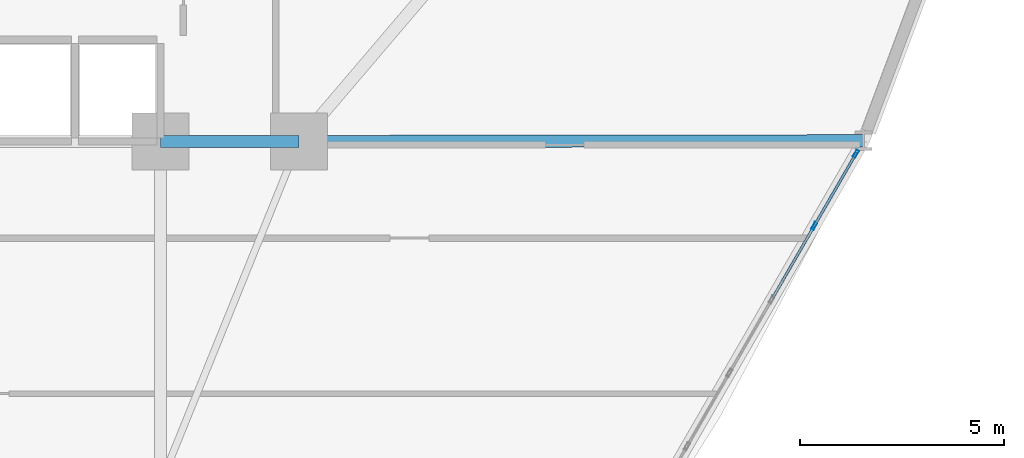
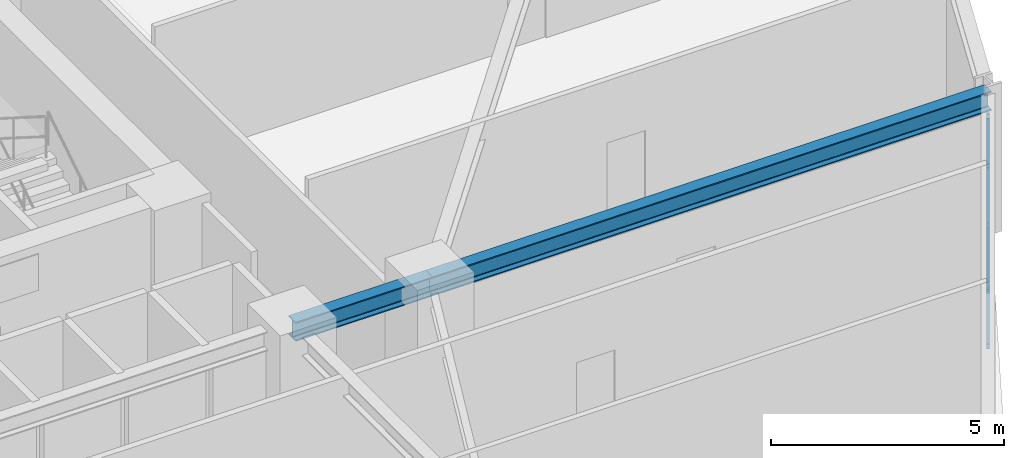
# One storey, part 8 of 21: 7 members, 2 beams, 1 element without a shape of its own.
"""IFC4 building model written with IfcOpenShell, lengths in metres."""

from ifc_helpers import new_model, si_unit, derived_unit, direction, frame, origin, origin_2d, place, context, subcontext, project, spatial, hollow_rectangle, i_section, extrude, source, transform, mapped, material, layer, layer_set, material_profile, profile_set, type_object, element, aggregate, save


model = new_model("IFC4")

# Units and contexts
model_context = context("Model", 3, precision=1e-05, world=origin(), true_north=direction((0.0, 1.0)))
body_context = subcontext(model_context, "Body", "Model", "MODEL_VIEW")
ifc_project = project(units=[si_unit("LENGTHUNIT", "METRE"), si_unit("AREAUNIT", "SQUARE_METRE"), si_unit("VOLUMEUNIT", "CUBIC_METRE"), si_unit("PLANEANGLEUNIT", "RADIAN"), si_unit("MASSUNIT", "GRAM", prefix="KILO"), derived_unit("THERMALTRANSMITTANCEUNIT", [(si_unit("POWERUNIT", "WATT"), 1), (si_unit("LENGTHUNIT", "METRE"), -2), (si_unit("THERMODYNAMICTEMPERATUREUNIT", "KELVIN"), -1)])], contexts=[model_context])

# Site, building, storey
site_placement = place(None, origin())
site = spatial("IfcSite", under=ifc_project, at=site_placement, CompositionType="ELEMENT")
building_placement = place(site_placement, origin())
building = spatial("IfcBuilding", under=site, at=building_placement, Name="Korsvarv Bourse and Concert Hall", CompositionType="ELEMENT")
storey_placement = place(building_placement, frame((0.0, 0.0, 63.89990234375)))
storey = spatial("IfcBuildingStorey", under=building, at=storey_placement, Name="L15", CompositionType="ELEMENT", Elevation=63.89990234375)

# Beams
ifc_material_1 = material(Name="Steel S355", Category="steel")
ifc_material_profile_1 = material_profile(ifc_material_1, i_section(OverallWidth=0.300048828125, OverallDepth=0.5, WebThickness=0.014404296875, FlangeThickness=0.028076171875, FilletRadius=0.02392578125, at=origin_2d()), Name="HEB 500")
ifc_profile_set_1 = profile_set([ifc_material_profile_1], Name="Steel S355")
beam_type = type_object("IfcBeamType", Name="BM-HEB500", PredefinedType="BEAM", material=ifc_profile_set_1)
shared_shape_1 = source(origin(), body_context, "Body", "SweptSolid", [
    extrude(i_section(OverallWidth=0.300048828125, OverallDepth=0.5, WebThickness=0.014404296875, FlangeThickness=0.028076171875, FilletRadius=0.02392578125, at=origin_2d()), origin(), (0.0, 0.0, 1.0), 3.400146484375),
])
beam_1_placement = place(storey_placement, frame((44.39990234375, 32.39990234375, 3.43017578125), z_axis=(1.0, 0.0, 0.0), x_axis=(0.0, 1.0, 0.0)))
element("IfcBeam", 1, at=beam_1_placement, inside=storey, type_object=beam_type, Name="L15 beam B-07", PredefinedType="BEAM", context=body_context, shape_type="MappedRepresentation", body=[
    mapped(shared_shape_1, transform((0.0, 0.0, 0.0), scale=1.0)),
])
shared_shape_2 = source(origin(), body_context, "Body", "SweptSolid", [
    extrude(i_section(OverallWidth=0.300048828125, OverallDepth=0.5, WebThickness=0.014404296875, FlangeThickness=0.028076171875, FilletRadius=0.02392578125, at=origin_2d()), origin(), (0.0, 0.0, 1.0), 13.860107421875),
])
beam_2_placement = place(storey_placement, frame((61.66015625, 32.41650390625, 3.43017578125), z_axis=(-0.999999282645, -0.001197793789, 0.0), x_axis=(0.001197793789, -0.999999282645, 0.0)))
element("IfcBeam", 2, at=beam_2_placement, inside=storey, type_object=beam_type, Name="L15 beam B-07", PredefinedType="BEAM", context=body_context, shape_type="MappedRepresentation", body=[
    mapped(shared_shape_2, transform((0.0, 0.0, 0.0), scale=1.0)),
])

# Curtain wall, members
ifc_material_2 = material(Name="Anodised aluminium and triple low-E glazing", Category="glass")
ifc_layer = layer(ifc_material_2, 0.219970703125)
ifc_layer_set = layer_set([ifc_layer], Name="Anodised aluminium and triple low-E glazing")
curtain_wall_type = type_object("IfcCurtainWallType", Name="CW-SYS-1", PredefinedType="NOTDEFINED", material=ifc_layer_set)
curtain_wall_placement = place(storey_placement, origin())
curtain_wall = element("IfcCurtainWall", 3, at=curtain_wall_placement, inside=storey, type_object=curtain_wall_type, Name="L15 CW1 curtain wall CW-L15-F11", PredefinedType="NOTDEFINED")
ifc_material_3 = material(Name="Extruded aluminium EN AW-6063 T66", Category="aluminium")
ifc_material_profile_2 = material_profile(ifc_material_3, hollow_rectangle(XDim=0.070068359375, YDim=0.18994140625, WallThickness=0.0048828125, at=origin_2d()), Name="ALU-M 70x190")
ifc_profile_set_2 = profile_set([ifc_material_profile_2], Name="Extruded aluminium EN AW-6063 T66")
member_type_1 = type_object("IfcMemberType", Name="CWM-190", PredefinedType="MULLION", material=ifc_profile_set_2)
shared_shape_3 = source(origin(), body_context, "Body", "SweptSolid", [
    extrude(hollow_rectangle(XDim=0.070068359375, YDim=0.18994140625, WallThickness=0.0048828125, at=origin_2d()), origin(), (0.0, 0.0, 1.0), 3.22998046875),
])
member_1_placement = place(storey_placement, frame((60.452392578125, 30.324462890625, 0.0), z_axis=(0.0, 0.0, 1.0), x_axis=(-0.86602191759, 0.500006038217, 0.0)))
member_1 = element("IfcMember", 4, at=member_1_placement, type_object=member_type_1, Name="CW1 mullion 7", PredefinedType="MULLION", context=body_context, shape_type="MappedRepresentation", body=[
    mapped(shared_shape_3, transform((0.0, 0.0, 0.0), scale=1.0)),
])
member_2_placement = place(storey_placement, frame((61.47705078125, 32.09912109375, 0.0), z_axis=(0.0, 0.0, 1.0), x_axis=(-0.86602191759, 0.500006038217, 0.0)))
member_2 = element("IfcMember", 5, at=member_2_placement, type_object=member_type_1, Name="CW1 mullion 8", PredefinedType="MULLION", context=body_context, shape_type="MappedRepresentation", body=[
    mapped(shared_shape_3, transform((0.0, 0.0, 0.0), scale=1.0)),
])
ifc_material_profile_3 = material_profile(ifc_material_3, hollow_rectangle(XDim=0.06494140625, YDim=0.139892578125, WallThickness=0.00390625, at=origin_2d()), Name="ALU-T 65x140")
ifc_profile_set_3 = profile_set([ifc_material_profile_3], Name="Extruded aluminium EN AW-6063 T66")
member_type_2 = type_object("IfcMemberType", Name="CWT-140", PredefinedType="USERDEFINED", material=ifc_profile_set_3)
shared_shape_4 = source(origin(), body_context, "Body", "SweptSolid", [
    extrude(hollow_rectangle(XDim=0.06494140625, YDim=0.139892578125, WallThickness=0.00390625, at=origin_2d()), origin(), (0.0, 0.0, 1.0), 1.979248046875),
])
member_3_placement = place(storey_placement, frame((60.4697265625, 30.354736328125, 0.03271484375), z_axis=(0.500039200885, 0.86600276996, 0.0), x_axis=(-0.86600276996, 0.500039200885, 0.0)))
member_3 = element("IfcMember", 6, at=member_3_placement, type_object=member_type_2, Name="CW1 transom 7.1", ObjectType="TRANSOM", PredefinedType="USERDEFINED", context=body_context, shape_type="MappedRepresentation", body=[
    mapped(shared_shape_4, transform((0.0, 0.0, 0.0), scale=1.0)),
])
member_4_placement = place(storey_placement, frame((60.4697265625, 30.354736328125, 3.197509765625), z_axis=(0.500039200885, 0.86600276996, 0.0), x_axis=(-0.86600276996, 0.500039200885, 0.0)))
member_4 = element("IfcMember", 7, at=member_4_placement, type_object=member_type_2, Name="CW1 transom 7.2", ObjectType="TRANSOM", PredefinedType="USERDEFINED", context=body_context, shape_type="MappedRepresentation", body=[
    mapped(shared_shape_4, transform((0.0, 0.0, 0.0), scale=1.0)),
])
ifc_material_profile_4 = material_profile(ifc_material_3, hollow_rectangle(XDim=0.06494140625, YDim=0.1650390625, WallThickness=0.0048828125, at=origin_2d()), Name="ALU-M 65x165")
ifc_profile_set_4 = profile_set([ifc_material_profile_4], Name="Extruded aluminium EN AW-6063 T66")
member_type_3 = type_object("IfcMemberType", Name="CWM-165", PredefinedType="MULLION", material=ifc_profile_set_4)
shared_shape_5 = source(origin(), body_context, "Body", "SweptSolid", [
    extrude(hollow_rectangle(XDim=0.06494140625, YDim=0.1650390625, WallThickness=0.0048828125, at=origin_2d()), origin(), (0.0, 0.0, 1.0), 3.677978515625),
])
member_5_placement = place(storey_placement, frame((60.4697265625, 30.354736328125, 0.065185546875), z_axis=(0.269107120812, 0.466058484268, 0.842835005662), x_axis=(-0.86600276996, 0.500039200885, 0.0)))
member_5 = element("IfcMember", 8, at=member_5_placement, type_object=member_type_3, Name="CW1 diagonal mullion 7", PredefinedType="MULLION", context=body_context, shape_type="MappedRepresentation", body=[
    mapped(shared_shape_5, transform((0.0, 0.0, 0.0), scale=1.0)),
])
shared_shape_6 = source(origin(), body_context, "Body", "SweptSolid", [
    extrude(hollow_rectangle(XDim=0.06494140625, YDim=0.139892578125, WallThickness=0.00390625, at=origin_2d()), origin(), (0.0, 0.0, 1.0), 2.0146484375),
])
member_6_placement = place(storey_placement, frame((59.427490234375, 28.549560546875, 0.03271484375), z_axis=(0.500023174947, 0.866012023309, 0.0), x_axis=(-0.866012023309, 0.500023174947, 0.0)))
member_6 = element("IfcMember", 9, at=member_6_placement, type_object=member_type_2, Name="CW1 transom 6.1", ObjectType="TRANSOM", PredefinedType="USERDEFINED", context=body_context, shape_type="MappedRepresentation", body=[
    mapped(shared_shape_6, transform((0.0, 0.0, 0.0), scale=1.0)),
])
member_7_placement = place(storey_placement, frame((59.427490234375, 28.549560546875, 3.197509765625), z_axis=(0.500023174947, 0.866012023309, 0.0), x_axis=(-0.866012023309, 0.500023174947, 0.0)))
member_7 = element("IfcMember", 10, at=member_7_placement, type_object=member_type_2, Name="CW1 transom 6.2", ObjectType="TRANSOM", PredefinedType="USERDEFINED", context=body_context, shape_type="MappedRepresentation", body=[
    mapped(shared_shape_6, transform((0.0, 0.0, 0.0), scale=1.0)),
])
aggregate(curtain_wall, [member_1, member_2, member_6, member_7, member_3, member_4, member_5])

save(model, "model.ifc")
